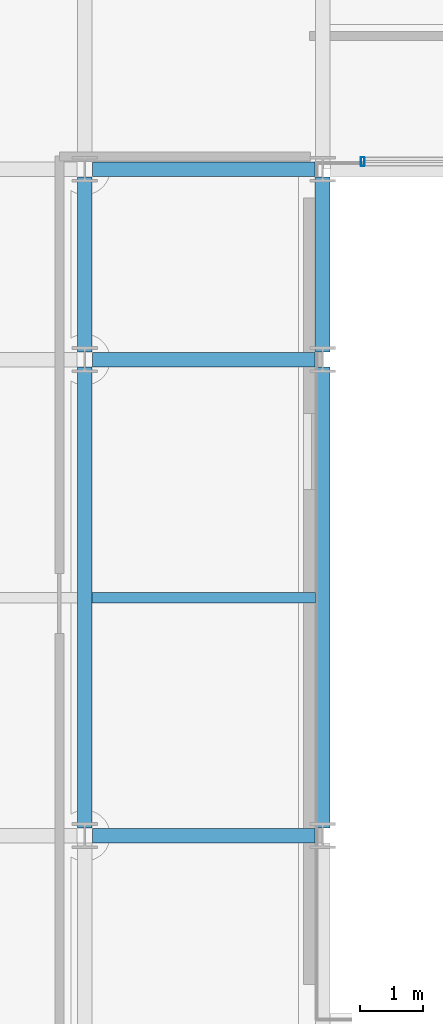
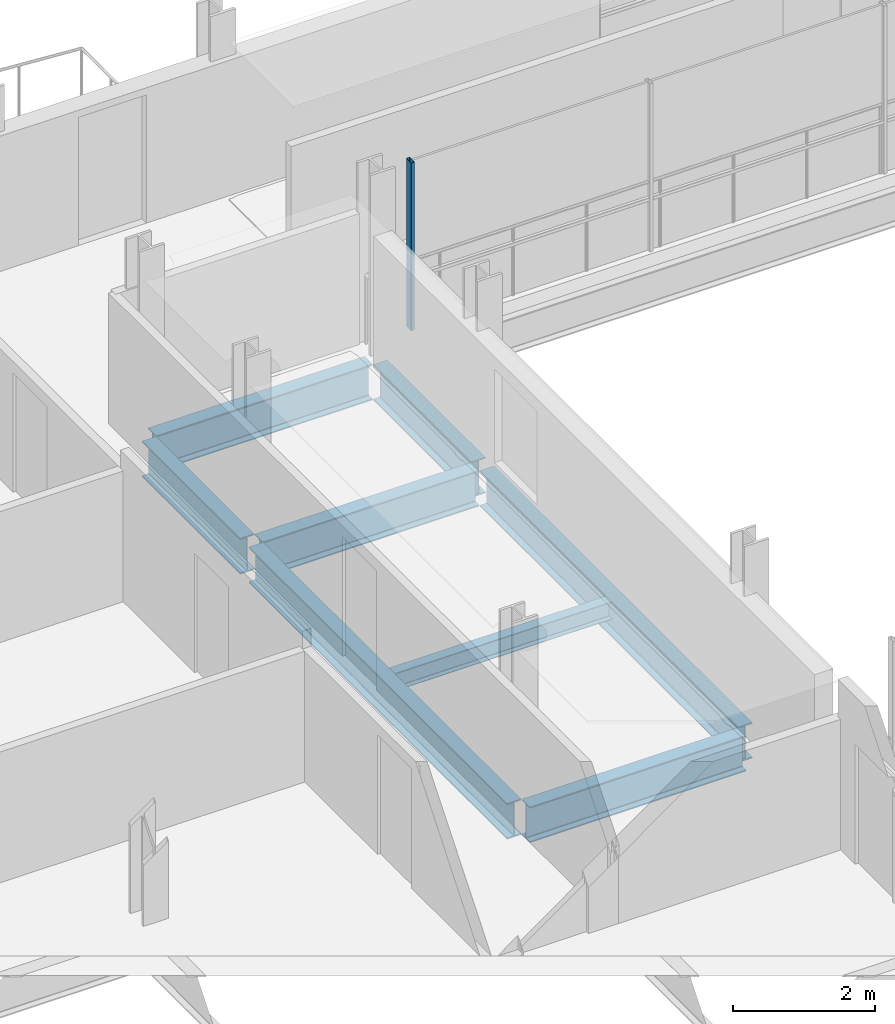
# One storey, part 10 of 39: 8 beams, 1 member, 1 element without a shape of its own.
"""IFC4 building model written with IfcOpenShell, lengths in metres."""

from ifc_helpers import new_model, si_unit, direction, frame, origin, origin_2d, place, context, subcontext, project, spatial, hollow_rectangle, i_section, extrude, material, layer, layer_set, material_profile, profile_set, type_object, element, aggregate, save


model = new_model("IFC4")

# Units and contexts
model_context = context("Model", 3, precision=1e-05, world=origin(), true_north=direction((0.0, 1.0)))
body_context = subcontext(model_context, "Body", "Model", "MODEL_VIEW")
ifc_project = project(units=[si_unit("LENGTHUNIT", "METRE"), si_unit("AREAUNIT", "SQUARE_METRE"), si_unit("VOLUMEUNIT", "CUBIC_METRE"), si_unit("PLANEANGLEUNIT", "RADIAN"), si_unit("MASSUNIT", "GRAM", prefix="KILO")], contexts=[model_context])

# Site, building, storey
site_placement = place(None, origin())
site = spatial("IfcSite", under=ifc_project, at=site_placement, CompositionType="ELEMENT")
building_placement = place(site_placement, origin())
building = spatial("IfcBuilding", under=site, at=building_placement, Name="Brevholm Reach", CompositionType="ELEMENT")
storey_placement = place(building_placement, frame((0.0, 0.0, 154.199951171875)))
storey = spatial("IfcBuildingStorey", under=building, at=storey_placement, Name="L46", CompositionType="ELEMENT", Elevation=154.199951171875)

# Beams
ifc_material_1 = material(Name="Structural Steel S355J2", Category="steel")
ifc_material_profile_1 = material_profile(ifc_material_1, i_section(OverallWidth=0.1650390625, OverallDepth=0.303466796875, WebThickness=0.006103515625, FlangeThickness=0.01025390625, FilletRadius=0.0087890625, at=origin_2d()), Name="UKB 305x165x40")
ifc_profile_set_1 = profile_set([ifc_material_profile_1], Name="Structural Steel S355J2")
beam_type_1 = type_object("IfcBeamType", Name="BM-B305", PredefinedType="BEAM", material=ifc_profile_set_1)
beam_1_placement = place(storey_placement, frame((18.114501953125, 19.75, -0.37158203125), z_axis=(1.0, 0.0, 0.0), x_axis=(0.0, 1.0, 0.0)))
element("IfcBeam", 1, at=beam_1_placement, inside=storey, type_object=beam_type_1, Name="L46 Composite Secondary Floor Beam", PredefinedType="BEAM", context=body_context, shape_type="SweptSolid", body=[
    extrude(i_section(OverallWidth=0.1650390625, OverallDepth=0.303466796875, WebThickness=0.006103515625, FlangeThickness=0.01025390625, FilletRadius=0.0087890625, at=origin_2d()), origin(), (0.0, 0.0, 1.0), 3.52099609375),
])
ifc_material_2 = material(Name="Structural Steel S355J2", Category="steel")
ifc_material_profile_2 = material_profile(ifc_material_2, i_section(OverallWidth=0.22900390625, OverallDepth=0.6123046875, WebThickness=0.011962890625, FlangeThickness=0.01953125, FilletRadius=0.0126953125, at=origin_2d()), Name="UKB 610x229x125")
ifc_profile_set_2 = profile_set([ifc_material_profile_2], Name="Structural Steel S355J2")
beam_type_2 = type_object("IfcBeamType", Name="BM-SP610", PredefinedType="SPANDREL", material=ifc_profile_set_2)
for number, where, z_axis, x_axis, name in (
    (2, (18.1201171875, 16.0, -0.526123046875), (1.0, 0.0, 0.0), (0.0, 1.0, 0.0), "L46 SP-01 Framing Beam"),
    (3, (18.1201171875, 23.5, -0.526123046875), (1.0, 0.0, 0.0), (0.0, 1.0, 0.0), "L46 SP-01 Framing Beam"),
    (4, (18.1201171875, 26.5, -0.526123046875), (1.0, 0.0, 0.0), (0.0, 1.0, 0.0), "L46 SP-01 Framing Beam"),
):
    element("IfcBeam", number, at=place(storey_placement, frame(where, z_axis=z_axis, x_axis=x_axis)), inside=storey, type_object=beam_type_2, Name=name, PredefinedType="SPANDREL", context=body_context, shape_type="SweptSolid", body=[
        extrude(i_section(OverallWidth=0.22900390625, OverallDepth=0.6123046875, WebThickness=0.011962890625, FlangeThickness=0.01953125, FilletRadius=0.0126953125, at=origin_2d()), origin(), (0.0, 0.0, 1.0), 3.509765625),
    ])
beam_2_placement = place(storey_placement, frame((18.0, 16.1201171875, -0.526123046875), z_axis=(0.0, 1.0, 0.0), x_axis=(-1.0, 0.0, 0.0)))
element("IfcBeam", 5, at=beam_2_placement, inside=storey, type_object=beam_type_2, Name="L46 SP-01 Framing Beam", PredefinedType="SPANDREL", context=body_context, shape_type="SweptSolid", body=[
    extrude(i_section(OverallWidth=0.22900390625, OverallDepth=0.6123046875, WebThickness=0.011962890625, FlangeThickness=0.01953125, FilletRadius=0.0126953125, at=origin_2d()), origin(), (0.0, 0.0, 1.0), 7.259765625),
])
beam_3_placement = place(storey_placement, frame((18.0, 23.6201171875, -0.526123046875), z_axis=(0.0, 1.0, 0.0), x_axis=(-1.0, 0.0, 0.0)))
element("IfcBeam", 6, at=beam_3_placement, inside=storey, type_object=beam_type_2, Name="L46 SP-01 Framing Beam", PredefinedType="SPANDREL", context=body_context, shape_type="SweptSolid", body=[
    extrude(i_section(OverallWidth=0.22900390625, OverallDepth=0.6123046875, WebThickness=0.011962890625, FlangeThickness=0.01953125, FilletRadius=0.0126953125, at=origin_2d()), origin(), (0.0, 0.0, 1.0), 2.759765625),
])
beam_4_placement = place(storey_placement, frame((21.75, 16.1201171875, -0.526123046875), z_axis=(0.0, 1.0, 0.0), x_axis=(-1.0, 0.0, 0.0)))
element("IfcBeam", 7, at=beam_4_placement, inside=storey, type_object=beam_type_2, Name="L46 SP-01 Framing Beam", PredefinedType="SPANDREL", context=body_context, shape_type="SweptSolid", body=[
    extrude(i_section(OverallWidth=0.22900390625, OverallDepth=0.6123046875, WebThickness=0.011962890625, FlangeThickness=0.01953125, FilletRadius=0.0126953125, at=origin_2d()), origin(), (0.0, 0.0, 1.0), 7.259765625),
])
beam_5_placement = place(storey_placement, frame((21.75, 23.6201171875, -0.526123046875), z_axis=(0.0, 1.0, 0.0), x_axis=(-1.0, 0.0, 0.0)))
element("IfcBeam", 8, at=beam_5_placement, inside=storey, type_object=beam_type_2, Name="L46 SP-01 Framing Beam", PredefinedType="SPANDREL", context=body_context, shape_type="SweptSolid", body=[
    extrude(i_section(OverallWidth=0.22900390625, OverallDepth=0.6123046875, WebThickness=0.011962890625, FlangeThickness=0.01953125, FilletRadius=0.0126953125, at=origin_2d()), origin(), (0.0, 0.0, 1.0), 2.759765625),
])

# Curtain wall, member
ifc_material_3 = material(Name="Dark Anodised Aluminium 6063-T6 and Solar-Control Glass", Category="aluminium")
ifc_layer = layer(ifc_material_3, 0.139892578125)
ifc_layer_set = layer_set([ifc_layer], Name="Dark Anodised Aluminium 6063-T6 and Solar-Control Glass")
curtain_wall_type = type_object("IfcCurtainWallType", Name="CW-02", PredefinedType="NOTDEFINED", material=ifc_layer_set)
curtain_wall_placement = place(storey_placement, origin())
curtain_wall = element("IfcCurtainWall", 9, at=curtain_wall_placement, inside=storey, type_object=curtain_wall_type, Name="L46 Curtain Wall CW-02", PredefinedType="NOTDEFINED")
ifc_material_4 = material(Name="Dark Anodised Aluminium 6063-T6", Category="aluminium")
ifc_material_profile_3 = material_profile(ifc_material_4, hollow_rectangle(XDim=0.06005859375, YDim=0.139892578125, WallThickness=0.0048828125, InnerFilletRadius=0.0048828125, OuterFilletRadius=0.010009765625, at=origin_2d()), Name="RHS 140x60x5")
ifc_profile_set_3 = profile_set([ifc_material_profile_3], Name="Dark Anodised Aluminium 6063-T6")
member_type = type_object("IfcMemberType", Name="CWM-140", PredefinedType="MULLION", material=ifc_profile_set_3)
member_placement = place(storey_placement, frame((22.3798828125, 26.6201171875, 0.0), z_axis=(0.0, 0.0, 1.0), x_axis=(-1.0, 0.0, 0.0)))
member = element("IfcMember", 10, at=member_placement, type_object=member_type, Name="CM-140 Mullion 5", PredefinedType="MULLION", context=body_context, shape_type="SweptSolid", body=[
    extrude(hollow_rectangle(XDim=0.06005859375, YDim=0.139892578125, WallThickness=0.0048828125, InnerFilletRadius=0.0048828125, OuterFilletRadius=0.010009765625, at=origin_2d()), origin(), (0.0, 0.0, 1.0), 2.880126953125),
])
aggregate(curtain_wall, [member])

save(model, "model.ifc")
